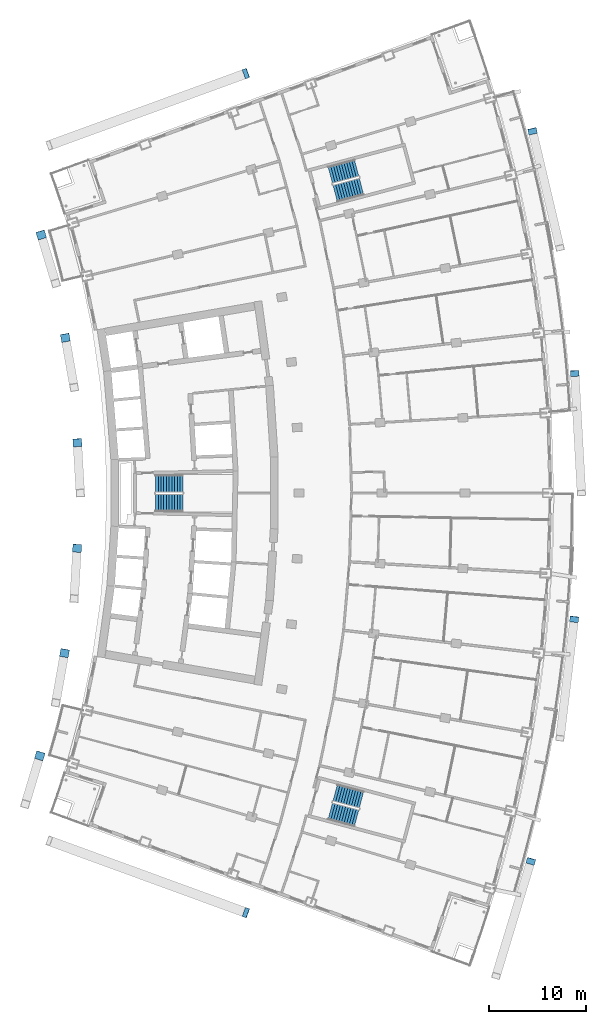
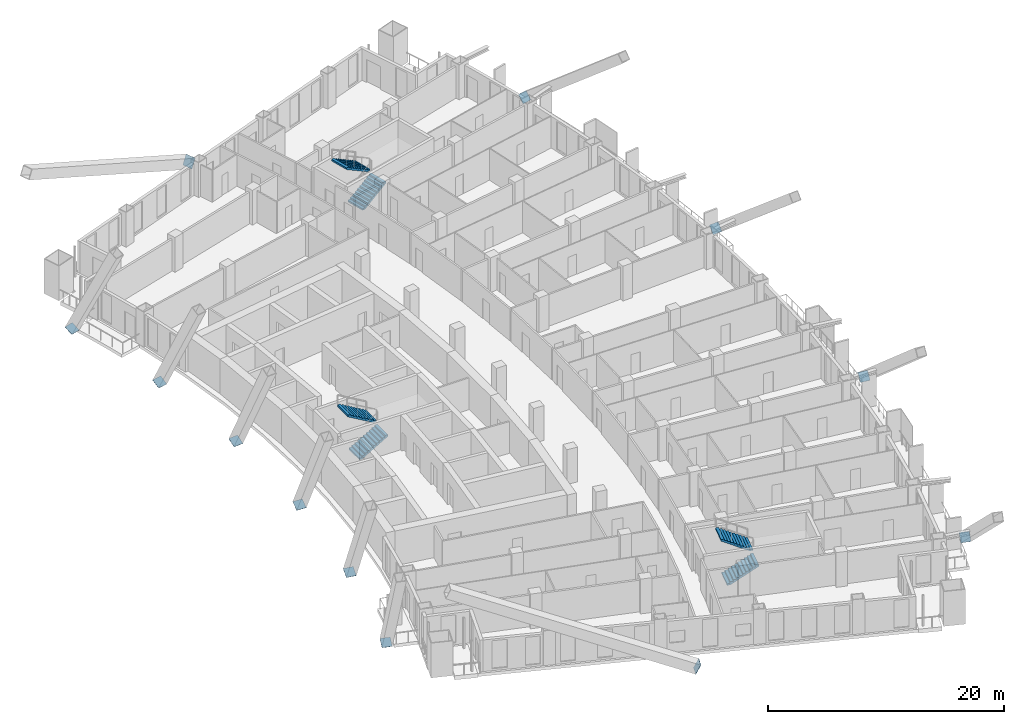
# One storey, part 22 of 25: 12 discrete accessories, 6 stair flights, 3 elements without a shape of their own.
"""IFC4 building model written with IfcOpenShell, lengths in metres."""

from ifc_helpers import new_model, si_unit, direction, frame, origin, origin_2d, place, context, subcontext, project, spatial, polyline, rectangle, outline, extrude, material, layer, layer_set, material_profile, profile_set, type_object, element, aggregate, save


model = new_model("IFC4")

# Units and contexts
model_context = context("Model", 3, precision=1e-05, world=origin(), true_north=direction((0.0, 1.0)))
body_context = subcontext(model_context, "Body", "Model", "MODEL_VIEW")
ifc_project = project(units=[si_unit("LENGTHUNIT", "METRE"), si_unit("AREAUNIT", "SQUARE_METRE"), si_unit("VOLUMEUNIT", "CUBIC_METRE"), si_unit("PLANEANGLEUNIT", "RADIAN"), si_unit("MASSUNIT", "GRAM", prefix="KILO")], contexts=[model_context])

# Site, building, storey
site_placement = place(None, origin())
site = spatial("IfcSite", under=ifc_project, at=site_placement, CompositionType="ELEMENT")
building_placement = place(site_placement, origin())
building = spatial("IfcBuilding", under=site, at=building_placement, Name="Alderwake Tower", CompositionType="ELEMENT")
storey_placement = place(building_placement, frame((0.0, 0.0, 93.199951171875)))
storey = spatial("IfcBuildingStorey", under=building, at=storey_placement, Name="L22", CompositionType="ELEMENT", Elevation=93.199951171875)

# Stair, stair flights
ifc_material_1 = material(Name="Concrete C40/50", Category="concrete")
stair_type = type_object("IfcStairType", Name="Core exit stair", PredefinedType="HALF_TURN_STAIR", material=ifc_material_1)
stair_1_placement = place(storey_placement, origin())
stair_1 = element("IfcStair", 1, at=stair_1_placement, inside=storey, type_object=stair_type, Name="L22 Exit Stair B", PredefinedType="HALF_TURN_STAIR")
ifc_material_2 = material(Name="Concrete C40/50", Category="concrete")
ifc_layer = layer(ifc_material_2, 0.14990234375)
ifc_layer_set = layer_set([ifc_layer], Name="Core stair flight")
stair_flight_type = type_object("IfcStairFlightType", Name="Core stair flight", PredefinedType="STRAIGHT", material=ifc_layer_set)
stair_flight_1_placement = place(storey_placement, frame((21.0400390625, 60.02490234375, 0.0), z_axis=(0.0, 0.0, 1.0), x_axis=(1.0, 0.0, 0.0)))
stair_flight_1 = element("IfcStairFlight", 2, at=stair_flight_1_placement, type_object=stair_flight_type, Name="ST-B flight 1", NumberOfRisers=11, NumberOfTreads=10, PredefinedType="STRAIGHT", RiserHeight=0.163636364, TreadLength=0.28, context=body_context, shape_type="SweptSolid", body=[
    extrude(outline(polyline([(0.0, 0.0), (0.0, 0.16357421875), (0.280029296875, 0.16357421875), (0.280029296875, 0.327392578125), (0.56005859375, 0.327392578125), (0.56005859375, 0.490966796875), (0.840087890625, 0.490966796875), (0.840087890625, 0.654541015625), (1.1201171875, 0.654541015625), (1.1201171875, 0.818115234375), (1.39990234375, 0.818115234375), (1.39990234375, 0.98193359375), (1.679931640625, 0.98193359375), (1.679931640625, 1.1455078125), (1.9599609375, 1.1455078125), (1.9599609375, 1.30908203125), (2.239990234375, 1.30908203125), (2.239990234375, 1.47265625), (2.52001953125, 1.47265625), (2.52001953125, 1.636474609375), (2.800048828125, 1.636474609375), (2.800048828125, 1.800048828125), (2.800048828125, 1.462646484375), (0.297119140625, 0.0), (0.0, 0.0)])), frame((0.0, 0.89990234375, 0.0), z_axis=(0.0, -1.0, 0.0), x_axis=(1.0, 0.0, 0.0)), (0.0, 0.0, 1.0), 1.800048828125),
])
stair_flight_2_placement = place(storey_placement, frame((23.840087890625, 61.97509765625, 1.800048828125), z_axis=(0.0, 0.0, 1.0), x_axis=(-1.0, 0.0, 0.0)))
stair_flight_2 = element("IfcStairFlight", 3, at=stair_flight_2_placement, type_object=stair_flight_type, Name="ST-B flight 2", NumberOfRisers=11, NumberOfTreads=10, PredefinedType="STRAIGHT", RiserHeight=0.163636364, TreadLength=0.28, context=body_context, shape_type="SweptSolid", body=[
    extrude(outline(polyline([(0.0, 0.0), (0.0, 0.16357421875), (0.280029296875, 0.16357421875), (0.280029296875, 0.327392578125), (0.56005859375, 0.327392578125), (0.56005859375, 0.490966796875), (0.840087890625, 0.490966796875), (0.840087890625, 0.654541015625), (1.1201171875, 0.654541015625), (1.1201171875, 0.818115234375), (1.39990234375, 0.818115234375), (1.39990234375, 0.98193359375), (1.679931640625, 0.98193359375), (1.679931640625, 1.1455078125), (1.9599609375, 1.1455078125), (1.9599609375, 1.30908203125), (2.239990234375, 1.30908203125), (2.239990234375, 1.47265625), (2.52001953125, 1.47265625), (2.52001953125, 1.636474609375), (2.800048828125, 1.636474609375), (2.800048828125, 1.800048828125), (2.800048828125, 1.462646484375), (0.297119140625, 0.0), (0.0, 0.0)])), frame((0.0, 0.89990234375, 0.0), z_axis=(0.0, -1.0, 0.0), x_axis=(1.0, 0.0, 0.0)), (0.0, 0.0, 1.0), 1.800048828125),
])
aggregate(stair_1, [stair_flight_1, stair_flight_2])

stair_2_placement = place(storey_placement, origin())
stair_2 = element("IfcStair", 4, at=stair_2_placement, inside=storey, type_object=stair_type, Name="L22 Exit Stair A", PredefinedType="HALF_TURN_STAIR")
stair_flight_3_placement = place(storey_placement, frame((39.512939453125, 91.823974609375, 0.0), z_axis=(0.0, 0.0, 1.0), x_axis=(0.966309627437, 0.257382407951, 0.0)))
stair_flight_3 = element("IfcStairFlight", 5, at=stair_flight_3_placement, type_object=stair_flight_type, Name="ST-A flight 1", NumberOfRisers=11, NumberOfTreads=10, PredefinedType="STRAIGHT", RiserHeight=0.163636364, TreadLength=0.28, context=body_context, shape_type="SweptSolid", body=[
    extrude(outline(polyline([(0.0, 0.0), (0.0, 0.16357421875), (0.280029296875, 0.16357421875), (0.280029296875, 0.327392578125), (0.56005859375, 0.327392578125), (0.56005859375, 0.490966796875), (0.840087890625, 0.490966796875), (0.840087890625, 0.654541015625), (1.1201171875, 0.654541015625), (1.1201171875, 0.818115234375), (1.39990234375, 0.818115234375), (1.39990234375, 0.98193359375), (1.679931640625, 0.98193359375), (1.679931640625, 1.1455078125), (1.9599609375, 1.1455078125), (1.9599609375, 1.30908203125), (2.239990234375, 1.30908203125), (2.239990234375, 1.47265625), (2.52001953125, 1.47265625), (2.52001953125, 1.636474609375), (2.800048828125, 1.636474609375), (2.800048828125, 1.800048828125), (2.800048828125, 1.462646484375), (0.297119140625, 0.0), (0.0, 0.0)])), frame((0.0, 0.89990234375, 0.0), z_axis=(0.0, -1.0, 0.0), x_axis=(1.0, 0.0, 0.0)), (0.0, 0.0, 1.0), 1.800048828125),
])
stair_flight_4_placement = place(storey_placement, frame((41.716796875, 94.428955078125, 1.800048828125), z_axis=(0.0, 0.0, 1.0), x_axis=(-0.966309627437, -0.257382407951, 0.0)))
stair_flight_4 = element("IfcStairFlight", 6, at=stair_flight_4_placement, type_object=stair_flight_type, Name="ST-A flight 2", NumberOfRisers=11, NumberOfTreads=10, PredefinedType="STRAIGHT", RiserHeight=0.163636364, TreadLength=0.28, context=body_context, shape_type="SweptSolid", body=[
    extrude(outline(polyline([(0.0, 0.0), (0.0, 0.16357421875), (0.280029296875, 0.16357421875), (0.280029296875, 0.327392578125), (0.56005859375, 0.327392578125), (0.56005859375, 0.490966796875), (0.840087890625, 0.490966796875), (0.840087890625, 0.654541015625), (1.1201171875, 0.654541015625), (1.1201171875, 0.818115234375), (1.39990234375, 0.818115234375), (1.39990234375, 0.98193359375), (1.679931640625, 0.98193359375), (1.679931640625, 1.1455078125), (1.9599609375, 1.1455078125), (1.9599609375, 1.30908203125), (2.239990234375, 1.30908203125), (2.239990234375, 1.47265625), (2.52001953125, 1.47265625), (2.52001953125, 1.636474609375), (2.800048828125, 1.636474609375), (2.800048828125, 1.800048828125), (2.800048828125, 1.462646484375), (0.297119140625, 0.0), (0.0, 0.0)])), frame((0.0, 0.89990234375, 0.0), z_axis=(0.0, -1.0, 0.0), x_axis=(1.0, 0.0, 0.0)), (0.0, 0.0, 1.0), 1.800048828125),
])
aggregate(stair_2, [stair_flight_3, stair_flight_4])

stair_3_placement = place(storey_placement, origin())
stair_3 = element("IfcStair", 7, at=stair_3_placement, inside=storey, type_object=stair_type, Name="L22 Exit Stair C", PredefinedType="HALF_TURN_STAIR")
stair_flight_5_placement = place(storey_placement, frame((39.010986328125, 28.291748046875, 0.0), z_axis=(0.0, 0.0, 1.0), x_axis=(0.966309627437, -0.257382407951, 0.0)))
stair_flight_5 = element("IfcStairFlight", 8, at=stair_flight_5_placement, type_object=stair_flight_type, Name="ST-C flight 1", NumberOfRisers=11, NumberOfTreads=10, PredefinedType="STRAIGHT", RiserHeight=0.163636364, TreadLength=0.28, context=body_context, shape_type="SweptSolid", body=[
    extrude(outline(polyline([(0.0, 0.0), (0.0, 0.16357421875), (0.280029296875, 0.16357421875), (0.280029296875, 0.327392578125), (0.56005859375, 0.327392578125), (0.56005859375, 0.490966796875), (0.840087890625, 0.490966796875), (0.840087890625, 0.654541015625), (1.1201171875, 0.654541015625), (1.1201171875, 0.818115234375), (1.39990234375, 0.818115234375), (1.39990234375, 0.98193359375), (1.679931640625, 0.98193359375), (1.679931640625, 1.1455078125), (1.9599609375, 1.1455078125), (1.9599609375, 1.30908203125), (2.239990234375, 1.30908203125), (2.239990234375, 1.47265625), (2.52001953125, 1.47265625), (2.52001953125, 1.636474609375), (2.800048828125, 1.636474609375), (2.800048828125, 1.800048828125), (2.800048828125, 1.462646484375), (0.297119140625, 0.0), (0.0, 0.0)])), frame((0.0, 0.89990234375, 0.0), z_axis=(0.0, -1.0, 0.0), x_axis=(1.0, 0.0, 0.0)), (0.0, 0.0, 1.0), 1.800048828125),
])
stair_flight_6_placement = place(storey_placement, frame((42.218505859375, 29.455322265625, 1.800048828125), z_axis=(0.0, 0.0, 1.0), x_axis=(-0.966309627437, 0.257382407951, 0.0)))
stair_flight_6 = element("IfcStairFlight", 9, at=stair_flight_6_placement, type_object=stair_flight_type, Name="ST-C flight 2", NumberOfRisers=11, NumberOfTreads=10, PredefinedType="STRAIGHT", RiserHeight=0.163636364, TreadLength=0.28, context=body_context, shape_type="SweptSolid", body=[
    extrude(outline(polyline([(0.0, 0.0), (0.0, 0.16357421875), (0.280029296875, 0.16357421875), (0.280029296875, 0.327392578125), (0.56005859375, 0.327392578125), (0.56005859375, 0.490966796875), (0.840087890625, 0.490966796875), (0.840087890625, 0.654541015625), (1.1201171875, 0.654541015625), (1.1201171875, 0.818115234375), (1.39990234375, 0.818115234375), (1.39990234375, 0.98193359375), (1.679931640625, 0.98193359375), (1.679931640625, 1.1455078125), (1.9599609375, 1.1455078125), (1.9599609375, 1.30908203125), (2.239990234375, 1.30908203125), (2.239990234375, 1.47265625), (2.52001953125, 1.47265625), (2.52001953125, 1.636474609375), (2.800048828125, 1.636474609375), (2.800048828125, 1.800048828125), (2.800048828125, 1.462646484375), (0.297119140625, 0.0), (0.0, 0.0)])), frame((0.0, 0.89990234375, 0.0), z_axis=(0.0, -1.0, 0.0), x_axis=(1.0, 0.0, 0.0)), (0.0, 0.0, 1.0), 1.800048828125),
])
aggregate(stair_3, [stair_flight_5, stair_flight_6])

# Discrete accessories
ifc_material_3 = material(Name="Steel ASTM A572 Grade 50", Category="steel")
ifc_material_profile_1 = material_profile(ifc_material_3, rectangle(XDim=1.0, YDim=1.0, at=origin_2d()), Name="BOX 1000X1000X60 cap")
ifc_profile_set_1 = profile_set([ifc_material_profile_1], Name="Steel ASTM A572 Grade 50")
discrete_accessory_type_1 = type_object("IfcDiscreteAccessoryType", Name="End cap plate BOX 1000X1000X60", PredefinedType="USERDEFINED", material=ifc_profile_set_1)
for number, where, z_axis, x_axis, name in (
    (10, (30.3203125, 17.855712890625, 0.375), (0.844218141181, -0.308464320816, -0.438344034844), (0.343192952924, 0.939264923791, 0.0), "End cap BRS2.1.0B2 X"),
    (11, (30.3203125, 104.144287109375, 0.375), (0.844218141181, 0.308464320816, -0.438344034844), (-0.343192952924, 0.939264923791, 0.0), "End cap BRN2.1.0B2 X"),
):
    element("IfcDiscreteAccessory", number, at=place(storey_placement, frame(where, z_axis=z_axis, x_axis=x_axis)), inside=storey, type_object=discrete_accessory_type_1, Name=name, ObjectType="END CAP", PredefinedType="USERDEFINED", context=body_context, shape_type="SweptSolid", body=[
        extrude(rectangle(XDim=1.0, YDim=1.0, at=origin_2d()), origin(), (0.0, 0.0, 1.0), 0.030029296875),
    ])
ifc_material_4 = material(Name="Steel ASTM A572 Grade 50", Category="steel")
ifc_material_profile_2 = material_profile(ifc_material_4, rectangle(XDim=0.89990234375, YDim=0.89990234375, at=origin_2d()), Name="BOX 900X900X55 cap")
ifc_profile_set_2 = profile_set([ifc_material_profile_2], Name="Steel ASTM A572 Grade 50")
discrete_accessory_type_2 = type_object("IfcDiscreteAccessoryType", Name="End cap plate BOX 900X900X55", PredefinedType="USERDEFINED", material=ifc_profile_set_2)
discrete_accessory_1_placement = place(storey_placement, frame((59.629150390625, 23.119873046875, 0.3271484375), z_axis=(0.221259451958, 0.729336712011, -0.647388766841), x_axis=(-0.956933928415, 0.290305798508, 0.0)))
element("IfcDiscreteAccessory", 12, at=discrete_accessory_1_placement, inside=storey, type_object=discrete_accessory_type_2, Name="End cap BRF2.1.1B2 X", ObjectType="END CAP", PredefinedType="USERDEFINED", context=body_context, shape_type="SweptSolid", body=[
    extrude(rectangle(XDim=0.89990234375, YDim=0.89990234375, at=origin_2d()), origin(), (0.0, 0.0, 1.0), 0.02978515625),
])
discrete_accessory_2_placement = place(storey_placement, frame((64.091796875, 48.0087890625, 0.3271484375), z_axis=(0.089781709975, 0.759063547969, -0.644795917092), x_axis=(-0.993077521975, 0.117460782169, 0.0)))
element("IfcDiscreteAccessory", 13, at=discrete_accessory_2_placement, inside=storey, type_object=discrete_accessory_type_2, Name="End cap BRF2.1.4B2 X", ObjectType="END CAP", PredefinedType="USERDEFINED", context=body_context, shape_type="SweptSolid", body=[
    extrude(rectangle(XDim=0.89990234375, YDim=0.89990234375, at=origin_2d()), origin(), (0.0, 0.0, 1.0), 0.030029296875),
])
for number, where, z_axis, x_axis, name in (
    (14, (64.15283203125, 73.294921875, 0.3271484375), (-0.040940993327, 0.761502475889, -0.646867694572), (-0.998557871823, -0.053685907087, 0.0), "End cap BRF2.1.7B2 X"),
    (15, (59.810546875, 98.205322265625, 0.3271484375), (-0.17167614664, 0.743929968771, -0.645829313549), (-0.974391195695, -0.224859506699, 0.0), "End cap BRF2.1.10B2 X"),
):
    element("IfcDiscreteAccessory", number, at=place(storey_placement, frame(where, z_axis=z_axis, x_axis=x_axis)), inside=storey, type_object=discrete_accessory_type_2, Name=name, ObjectType="END CAP", PredefinedType="USERDEFINED", context=body_context, shape_type="SweptSolid", body=[
        extrude(rectangle(XDim=0.89990234375, YDim=0.89990234375, at=origin_2d()), origin(), (0.0, 0.0, 1.0), 0.02978515625),
    ])
for number, where, z_axis, x_axis, name in (
    (16, (9.134521484375, 33.973876953125, 0.504638671875), (0.129926809902, 0.430382557802, -0.893246818079), (-0.957327710787, 0.289004591936, 0.0), "End cap BRR2.1.1B2 X"),
    (17, (11.674560546875, 44.533203125, 0.504638671875), (0.08133576549, 0.439213133645, -0.894693420388), (-0.983282004984, 0.182089260182, 0.0), "End cap BRR2.1.3B2 X"),
    (18, (12.968017578125, 55.316162109375, 0.504638671875), (0.032507435656, 0.446977240277, -0.893954480553), (-0.997365816959, 0.072535695779, 0.0), "End cap BRR2.1.5B2 X"),
    (19, (12.997802734375, 66.176513671875, 0.504638671875), (-0.032507435656, 0.446977240277, -0.893954480553), (-0.997365816959, -0.072535695779, 0.0), "End cap BRR2.1.7B2 X"),
    (20, (11.762939453125, 76.96630859375, 0.504638671875), (-0.081044089847, 0.44574249416, -0.89148498832), (-0.9838699101, -0.1788854382, 0.0), "End cap BRR2.1.9B2 X"),
    (21, (9.28076171875, 87.539306640625, 0.504638671875), (-0.129926809902, 0.430382557802, -0.893246818079), (-0.957327710787, -0.289004591936, 0.0), "End cap BRR2.1.11B2 X"),
):
    element("IfcDiscreteAccessory", number, at=place(storey_placement, frame(where, z_axis=z_axis, x_axis=x_axis)), inside=storey, type_object=discrete_accessory_type_2, Name=name, ObjectType="END CAP", PredefinedType="USERDEFINED", context=body_context, shape_type="SweptSolid", body=[
        extrude(rectangle(XDim=0.89990234375, YDim=0.89990234375, at=origin_2d()), origin(), (0.0, 0.0, 1.0), 0.030029296875),
    ])

save(model, "model.ifc")
